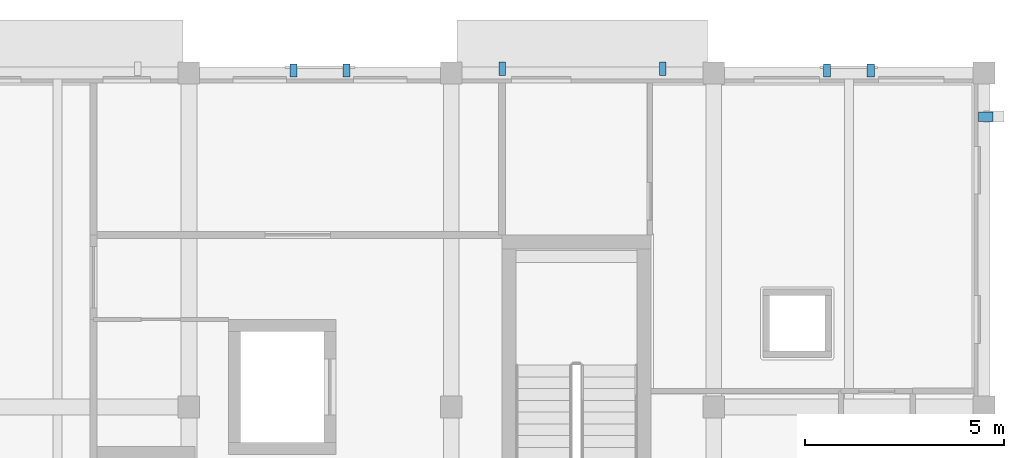
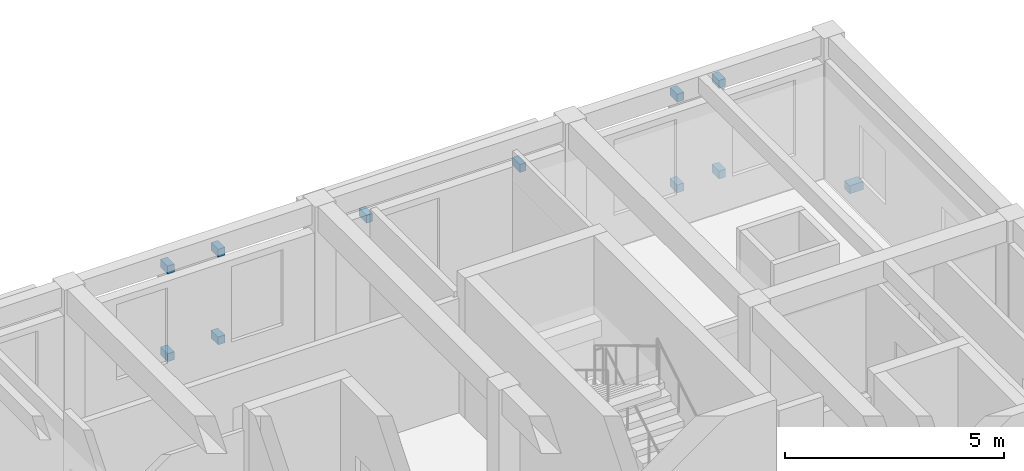
# One storey, part 5 of 6: 11 discrete accessories.
"""IFC4 building model written with IfcOpenShell, lengths in metres."""

from ifc_helpers import new_model, si_unit, direction, frame, origin, origin_2d, place, context, subcontext, project, spatial, rectangle, extrude, material, type_object, element, save


model = new_model("IFC4")

# Units and contexts
model_context = context("Model", 3, precision=1e-05, world=origin(), true_north=direction((0.0, 1.0)))
body_context = subcontext(model_context, "Body", "Model", "MODEL_VIEW")
ifc_project = project(units=[si_unit("LENGTHUNIT", "METRE"), si_unit("AREAUNIT", "SQUARE_METRE"), si_unit("VOLUMEUNIT", "CUBIC_METRE"), si_unit("PLANEANGLEUNIT", "RADIAN"), si_unit("MASSUNIT", "GRAM", prefix="KILO")], contexts=[model_context])

# Site, building, storey
site_placement = place(None, origin())
site = spatial("IfcSite", under=ifc_project, at=site_placement, CompositionType="ELEMENT")
building_placement = place(site_placement, origin())
building = spatial("IfcBuilding", under=site, at=building_placement, Name="Kolvaren Faculty of Natural Sciences", CompositionType="ELEMENT")
storey_placement = place(building_placement, frame((0.0, 0.0, 36.60009765625)))
storey = spatial("IfcBuildingStorey", under=building, at=storey_placement, Name="L08", CompositionType="ELEMENT", Elevation=36.60009765625)

# Discrete accessories
ifc_material = material(Name="Structural steel EN 10025-2 S355J2", Category="steel")
discrete_accessory_type = type_object("IfcDiscreteAccessoryType", Name="FacadeSupportBracket_260", PredefinedType="BRACKET", material=ifc_material)
discrete_accessory_placement = place(storey_placement, frame((172.0400390625, 83.10009765625, 0.10986328125), z_axis=(0.0, 0.0, 1.0), x_axis=(0.0, -1.0, 0.0)))
element("IfcDiscreteAccessory", 1, at=discrete_accessory_placement, inside=storey, type_object=discrete_accessory_type, Name="L08 facade relief pier anchor bracket 22", PredefinedType="BRACKET", context=body_context, shape_type="SweptSolid", body=[
    extrude(rectangle(XDim=0.239990234375, YDim=0.360107421875, at=origin_2d()), origin(), (0.0, 0.0, 1.0), 0.219970703125),
])
for number, where, z_axis, x_axis, name in (
    (2, (154.635009765625, 84.260009765625, 0.81982421875), (0.0, 0.0, 1.0), (1.0, 0.0, 0.0), "L08 jali screen wall bracket"),
    (3, (155.965087890625, 84.260009765625, 0.81982421875), (0.0, 0.0, 1.0), (1.0, 0.0, 0.0), "L08 jali screen wall bracket"),
    (4, (154.635009765625, 84.260009765625, 3.259765625), (0.0, 0.0, 1.0), (1.0, 0.0, 0.0), "L08 jali screen wall bracket"),
    (5, (155.965087890625, 84.260009765625, 3.259765625), (0.0, 0.0, 1.0), (1.0, 0.0, 0.0), "L08 jali screen wall bracket"),
):
    element("IfcDiscreteAccessory", number, at=place(storey_placement, frame(where, z_axis=z_axis, x_axis=x_axis)), inside=storey, type_object=discrete_accessory_type, Name=name, PredefinedType="BRACKET", context=body_context, shape_type="SweptSolid", body=[
        extrude(rectangle(XDim=0.179931640625, YDim=0.320068359375, at=origin_2d()), origin(), (0.0, 0.0, 1.0), 0.219970703125),
    ])
for number, where, z_axis, x_axis, name in (
    (6, (159.884033203125, 84.300048828125, 2.81494140625), (0.0, 0.0, 1.0), (1.0, 0.0, 0.0), "L08 chhajja hood steel bracket"),
    (7, (163.916015625, 84.300048828125, 2.81494140625), (0.0, 0.0, 1.0), (1.0, 0.0, 0.0), "L08 chhajja hood steel bracket"),
):
    element("IfcDiscreteAccessory", number, at=place(storey_placement, frame(where, z_axis=z_axis, x_axis=x_axis)), inside=storey, type_object=discrete_accessory_type, Name=name, PredefinedType="BRACKET", context=body_context, shape_type="SweptSolid", body=[
        extrude(rectangle(XDim=0.159912109375, YDim=0.340087890625, at=origin_2d()), origin(), (0.0, 0.0, 1.0), 0.219970703125),
    ])
for number, where, z_axis, x_axis, name in (
    (8, (168.049072265625, 84.260009765625, 0.81982421875), (0.0, 0.0, 1.0), (1.0, 0.0, 0.0), "L08 jali screen wall bracket"),
    (9, (169.15087890625, 84.260009765625, 0.81982421875), (0.0, 0.0, 1.0), (1.0, 0.0, 0.0), "L08 jali screen wall bracket"),
    (10, (168.049072265625, 84.260009765625, 3.3447265625), (0.0, 0.0, 1.0), (1.0, 0.0, 0.0), "L08 jali screen wall bracket"),
    (11, (169.15087890625, 84.260009765625, 3.3447265625), (0.0, 0.0, 1.0), (1.0, 0.0, 0.0), "L08 jali screen wall bracket"),
):
    element("IfcDiscreteAccessory", number, at=place(storey_placement, frame(where, z_axis=z_axis, x_axis=x_axis)), inside=storey, type_object=discrete_accessory_type, Name=name, PredefinedType="BRACKET", context=body_context, shape_type="SweptSolid", body=[
        extrude(rectangle(XDim=0.179931640625, YDim=0.320068359375, at=origin_2d()), origin(), (0.0, 0.0, 1.0), 0.219970703125),
    ])

save(model, "model.ifc")
